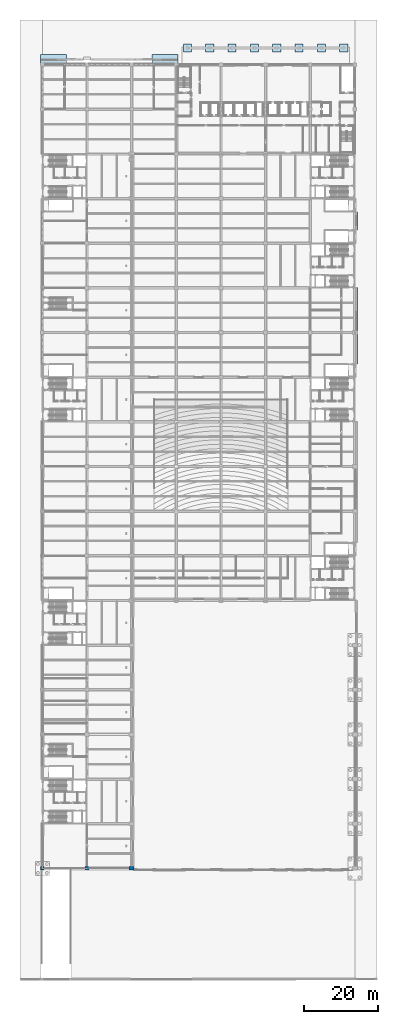
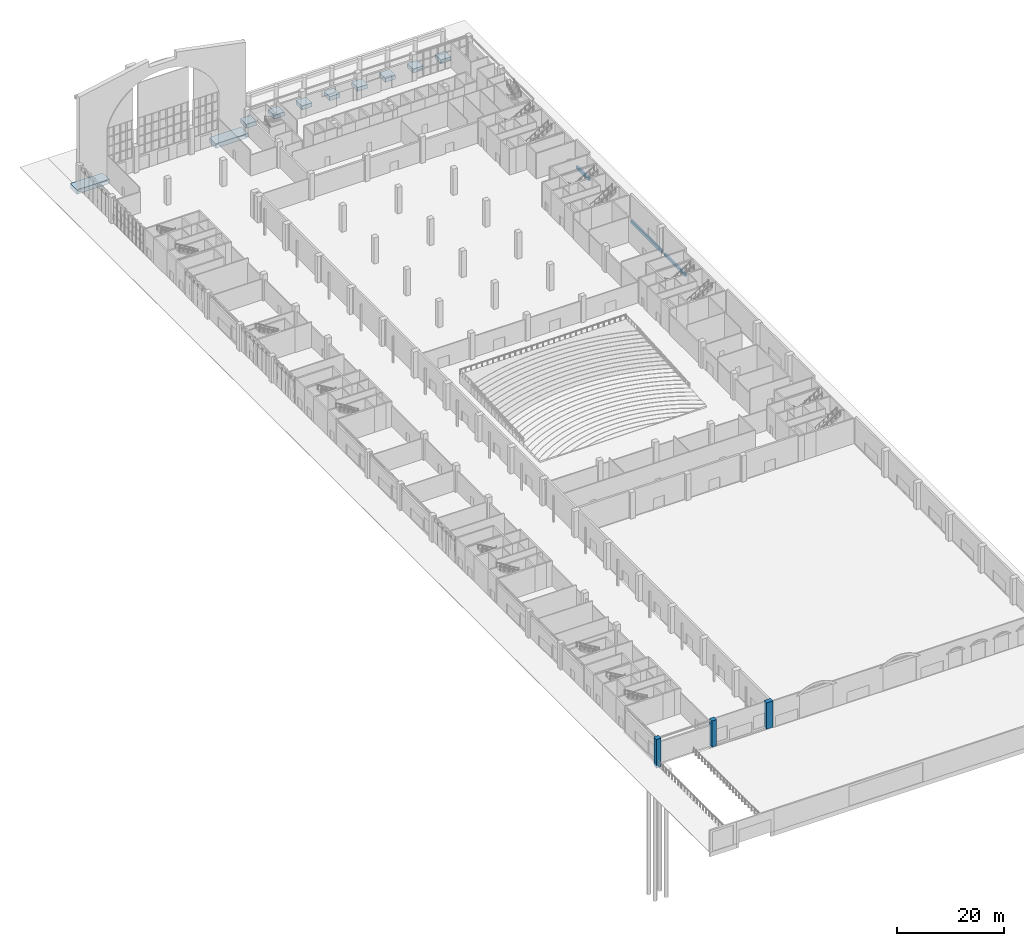
# One storey, part 2 of 59: 13 footings, 3 columns.
"""IFC4 building model written with IfcOpenShell, lengths in metres."""

from ifc_helpers import new_model, si_unit, direction, frame, origin, origin_2d, place, context, subcontext, project, spatial, polyline, rectangle, outline, extrude, material, layer, layer_set, material_profile, profile_set, type_object, element, save


model = new_model("IFC4")

# Units and contexts
model_context = context("Model", 3, precision=1e-05, world=origin(), true_north=direction((0.0, 1.0)))
body_context = subcontext(model_context, "Body", "Model", "MODEL_VIEW")
ifc_project = project(units=[si_unit("LENGTHUNIT", "METRE"), si_unit("AREAUNIT", "SQUARE_METRE"), si_unit("VOLUMEUNIT", "CUBIC_METRE"), si_unit("PLANEANGLEUNIT", "RADIAN"), si_unit("MASSUNIT", "GRAM", prefix="KILO")], contexts=[model_context])

# Site, building, storey
site_placement = place(None, origin())
site = spatial("IfcSite", under=ifc_project, at=site_placement, CompositionType="ELEMENT")
building_placement = place(site_placement, origin())
building = spatial("IfcBuilding", under=site, at=building_placement, Name="Lilac Gate Convention Centre", CompositionType="ELEMENT")
storey_placement = place(building_placement, origin())
storey = spatial("IfcBuildingStorey", under=building, at=storey_placement, Name="L00", CompositionType="ELEMENT", Elevation=0.0)

# Footings
ifc_material = material(Name="Concrete C40", Category="concrete")
ifc_layer_1 = layer(ifc_material, 0.89990234375)
ifc_layer_set_1 = layer_set([ifc_layer_1], Name="Concrete C40")
footing_type_1 = type_object("IfcFootingType", Name="Colonnade pad footing", PredefinedType="PAD_FOOTING", material=ifc_layer_set_1)
footing_1_placement = place(storey_placement, frame((0.0, 0.0, -1.300048828125)))
element("IfcFooting", 1, at=footing_1_placement, inside=storey, type_object=footing_type_1, Name="Colonnade pad 1", PredefinedType="PAD_FOOTING", context=body_context, shape_type="SweptSolid", body=[
    extrude(outline(polyline([(43.89990234375, 249.39990234375), (46.10009765625, 249.39990234375), (46.10009765625, 251.60009765625), (43.89990234375, 251.60009765625), (43.89990234375, 249.39990234375)])), origin(), (0.0, 0.0, 1.0), 0.900146484375),
])
footing_2_placement = place(storey_placement, frame((0.0, 0.0, -1.300048828125)))
element("IfcFooting", 2, at=footing_2_placement, inside=storey, type_object=footing_type_1, Name="Colonnade pad 2", PredefinedType="PAD_FOOTING", context=body_context, shape_type="SweptSolid", body=[
    extrude(outline(polyline([(49.89990234375, 249.39990234375), (52.10009765625, 249.39990234375), (52.10009765625, 251.60009765625), (49.89990234375, 251.60009765625), (49.89990234375, 249.39990234375)])), origin(), (0.0, 0.0, 1.0), 0.900146484375),
])
footing_3_placement = place(storey_placement, frame((0.0, 0.0, -1.300048828125)))
element("IfcFooting", 3, at=footing_3_placement, inside=storey, type_object=footing_type_1, Name="Colonnade pad 3", PredefinedType="PAD_FOOTING", context=body_context, shape_type="SweptSolid", body=[
    extrude(outline(polyline([(55.89990234375, 249.39990234375), (58.10009765625, 249.39990234375), (58.10009765625, 251.60009765625), (55.89990234375, 251.60009765625), (55.89990234375, 249.39990234375)])), origin(), (0.0, 0.0, 1.0), 0.900146484375),
])
footing_4_placement = place(storey_placement, frame((0.0, 0.0, -1.300048828125)))
element("IfcFooting", 4, at=footing_4_placement, inside=storey, type_object=footing_type_1, Name="Colonnade pad 4", PredefinedType="PAD_FOOTING", context=body_context, shape_type="SweptSolid", body=[
    extrude(outline(polyline([(61.89990234375, 249.39990234375), (64.10009765625, 249.39990234375), (64.10009765625, 251.60009765625), (61.89990234375, 251.60009765625), (61.89990234375, 249.39990234375)])), origin(), (0.0, 0.0, 1.0), 0.900146484375),
])
footing_5_placement = place(storey_placement, frame((0.0, 0.0, -1.300048828125)))
element("IfcFooting", 5, at=footing_5_placement, inside=storey, type_object=footing_type_1, Name="Colonnade pad 5", PredefinedType="PAD_FOOTING", context=body_context, shape_type="SweptSolid", body=[
    extrude(outline(polyline([(67.89990234375, 249.39990234375), (70.10009765625, 249.39990234375), (70.10009765625, 251.60009765625), (67.89990234375, 251.60009765625), (67.89990234375, 249.39990234375)])), origin(), (0.0, 0.0, 1.0), 0.900146484375),
])
footing_6_placement = place(storey_placement, frame((0.0, 0.0, -1.300048828125)))
element("IfcFooting", 6, at=footing_6_placement, inside=storey, type_object=footing_type_1, Name="Colonnade pad 6", PredefinedType="PAD_FOOTING", context=body_context, shape_type="SweptSolid", body=[
    extrude(outline(polyline([(73.89990234375, 249.39990234375), (76.10009765625, 249.39990234375), (76.10009765625, 251.60009765625), (73.89990234375, 251.60009765625), (73.89990234375, 249.39990234375)])), origin(), (0.0, 0.0, 1.0), 0.900146484375),
])
footing_7_placement = place(storey_placement, frame((0.0, 0.0, -1.300048828125)))
element("IfcFooting", 7, at=footing_7_placement, inside=storey, type_object=footing_type_1, Name="Colonnade pad 7", PredefinedType="PAD_FOOTING", context=body_context, shape_type="SweptSolid", body=[
    extrude(outline(polyline([(79.89990234375, 249.39990234375), (82.10009765625, 249.39990234375), (82.10009765625, 251.60009765625), (79.89990234375, 251.60009765625), (79.89990234375, 249.39990234375)])), origin(), (0.0, 0.0, 1.0), 0.900146484375),
])
footing_8_placement = place(storey_placement, frame((0.0, 0.0, -1.300048828125)))
element("IfcFooting", 8, at=footing_8_placement, inside=storey, type_object=footing_type_1, Name="Colonnade pad 8", PredefinedType="PAD_FOOTING", context=body_context, shape_type="SweptSolid", body=[
    extrude(outline(polyline([(85.89990234375, 249.39990234375), (88.10009765625, 249.39990234375), (88.10009765625, 251.60009765625), (85.89990234375, 251.60009765625), (85.89990234375, 249.39990234375)])), origin(), (0.0, 0.0, 1.0), 0.900146484375),
])
ifc_layer_2 = layer(ifc_material, 1.0)
ifc_layer_set_2 = layer_set([ifc_layer_2], Name="Concrete C40")
footing_type_2 = type_object("IfcFootingType", Name="Portal strip footing", PredefinedType="STRIP_FOOTING", material=ifc_layer_set_2)
footing_9_placement = place(storey_placement, frame((0.0, 0.0, -1.0)))
element("IfcFooting", 9, at=footing_9_placement, inside=storey, type_object=footing_type_2, Name="Portal footing 1", PredefinedType="STRIP_FOOTING", context=body_context, shape_type="SweptSolid", body=[
    extrude(outline(polyline([(5.5, 246.25), (12.5, 246.25), (12.5, 248.699951171875), (5.5, 248.699951171875), (5.5, 246.25)])), origin(), (0.0, 0.0, 1.0), 1.0),
])
footing_10_placement = place(storey_placement, frame((0.0, 0.0, -1.0)))
element("IfcFooting", 10, at=footing_10_placement, inside=storey, type_object=footing_type_2, Name="Portal footing 2", PredefinedType="STRIP_FOOTING", context=body_context, shape_type="SweptSolid", body=[
    extrude(outline(polyline([(35.5, 246.25), (42.5, 246.25), (42.5, 248.699951171875), (35.5, 248.699951171875), (35.5, 246.25)])), origin(), (0.0, 0.0, 1.0), 1.0),
])
ifc_layer_3 = layer(ifc_material, 0.60009765625)
ifc_layer_set_3 = layer_set([ifc_layer_3], Name="Concrete C40")
footing_type_3 = type_object("IfcFootingType", Name="Wall strip footing 600 C40", PredefinedType="STRIP_FOOTING", material=ifc_layer_set_3)
footing_11_placement = place(storey_placement, frame((0.0, 0.0, -0.60009765625)))
element("IfcFooting", 11, at=footing_11_placement, inside=storey, type_object=footing_type_3, Name="WF2 strip footing under E-W-HE-L00-10", PredefinedType="STRIP_FOOTING", context=body_context, shape_type="SweptSolid", body=[
    extrude(outline(polyline([(90.25, 165.60009765625), (90.64990234375, 165.60009765625), (90.64990234375, 173.5), (90.25, 173.5), (90.25, 165.60009765625)])), origin(), (0.0, 0.0, 1.0), 0.60009765625),
])
footing_12_placement = place(storey_placement, frame((0.0, 0.0, -0.60009765625)))
element("IfcFooting", 12, at=footing_12_placement, inside=storey, type_object=footing_type_3, Name="WF2 strip footing under E-W-HE-L00-11", PredefinedType="STRIP_FOOTING", context=body_context, shape_type="SweptSolid", body=[
    extrude(outline(polyline([(90.25, 174.5), (90.64990234375, 174.5), (90.64990234375, 186.0), (90.25, 186.0), (90.25, 174.5)])), origin(), (0.0, 0.0, 1.0), 0.60009765625),
])
footing_13_placement = place(storey_placement, frame((0.0, 0.0, -0.60009765625)))
element("IfcFooting", 13, at=footing_13_placement, inside=storey, type_object=footing_type_3, Name="WF2 strip footing under E-W-HE-L00-12", PredefinedType="STRIP_FOOTING", context=body_context, shape_type="SweptSolid", body=[
    extrude(outline(polyline([(90.25, 201.60009765625), (90.64990234375, 201.60009765625), (90.64990234375, 206.39990234375), (90.25, 206.39990234375), (90.25, 201.60009765625)])), origin(), (0.0, 0.0, 1.0), 0.60009765625),
])

# Columns
ifc_material_profile_1 = material_profile(ifc_material, rectangle(XDim=1.0, YDim=1.0, at=origin_2d()), Name="RC 1000x1000")
ifc_profile_set_1 = profile_set([ifc_material_profile_1], Name="Concrete C40")
column_type_1 = type_object("IfcColumnType", Name="RC column 1000x1000 C40", PredefinedType="COLUMN", material=ifc_profile_set_1)
column_1_placement = place(storey_placement, frame((6.0, 30.0, -0.60009765625), z_axis=(0.0, 0.0, 1.0), x_axis=(1.0, 0.0, 0.0)))
element("IfcColumn", 14, at=column_1_placement, inside=storey, type_object=column_type_1, Name="C1 L00 at 1/A", PredefinedType="COLUMN", context=body_context, shape_type="SweptSolid", body=[
    extrude(rectangle(XDim=1.0, YDim=1.0, at=origin_2d()), origin(), (0.0, 0.0, 1.0), 6.60009765625),
])
column_2_placement = place(storey_placement, frame((18.0, 30.0, 0.0), z_axis=(0.0, 0.0, 1.0), x_axis=(1.0, 0.0, 0.0)))
element("IfcColumn", 15, at=column_2_placement, inside=storey, type_object=column_type_1, Name="C1 L00 at 2/A", PredefinedType="COLUMN", context=body_context, shape_type="SweptSolid", body=[
    extrude(rectangle(XDim=1.0, YDim=1.0, at=origin_2d()), origin(), (0.0, 0.0, 1.0), 6.0),
])
ifc_material_profile_2 = material_profile(ifc_material, rectangle(XDim=1.39990234375, YDim=1.0, at=origin_2d()), Name="RC 1400x1000")
ifc_profile_set_2 = profile_set([ifc_material_profile_2], Name="Concrete C40")
column_type_2 = type_object("IfcColumnType", Name="RC hall column 1400x1000 C40", PredefinedType="COLUMN", material=ifc_profile_set_2)
column_3_placement = place(storey_placement, frame((30.0, 30.0, 0.0), z_axis=(0.0, 0.0, 1.0), x_axis=(1.0, 0.0, 0.0)))
element("IfcColumn", 16, at=column_3_placement, inside=storey, type_object=column_type_2, Name="C2 L00 at 3/A", PredefinedType="COLUMN", context=body_context, shape_type="SweptSolid", body=[
    extrude(rectangle(XDim=1.39990234375, YDim=1.0, at=origin_2d()), origin(), (0.0, 0.0, 1.0), 6.0),
])

save(model, "model.ifc")
